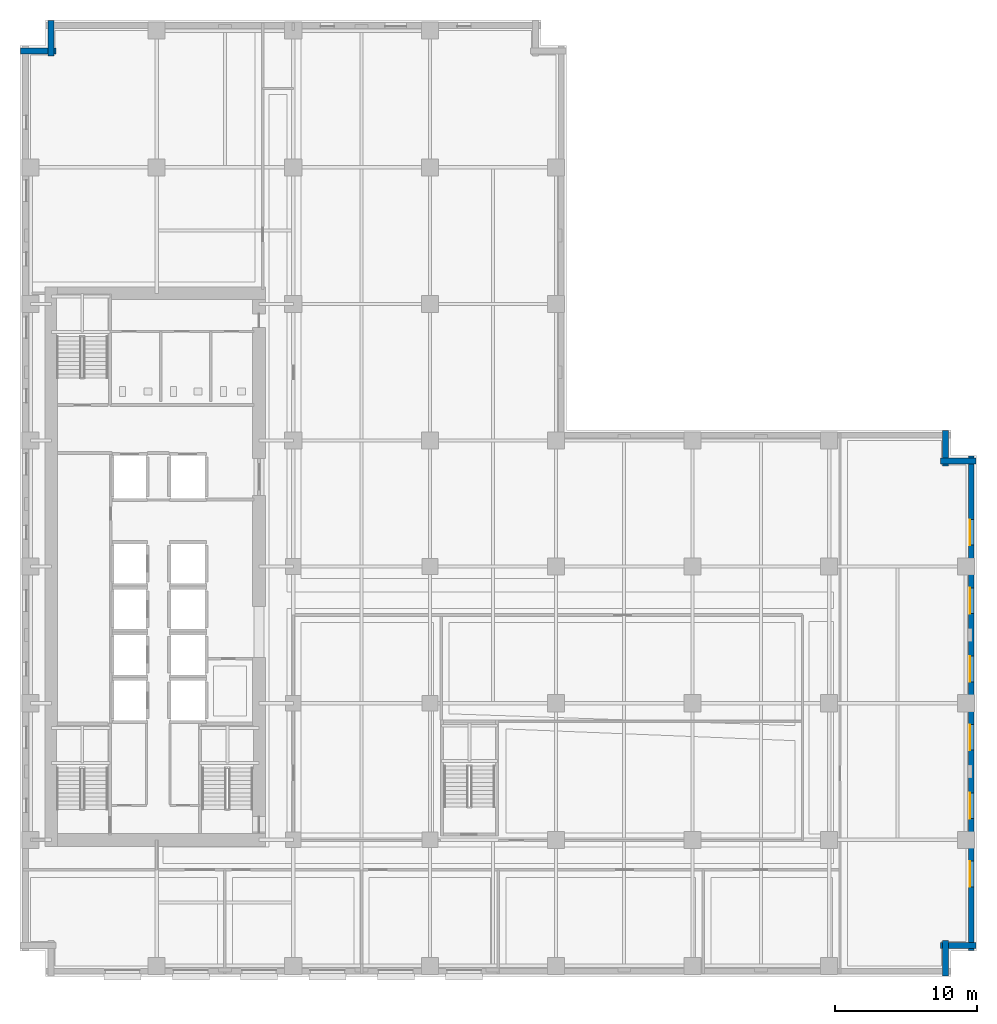
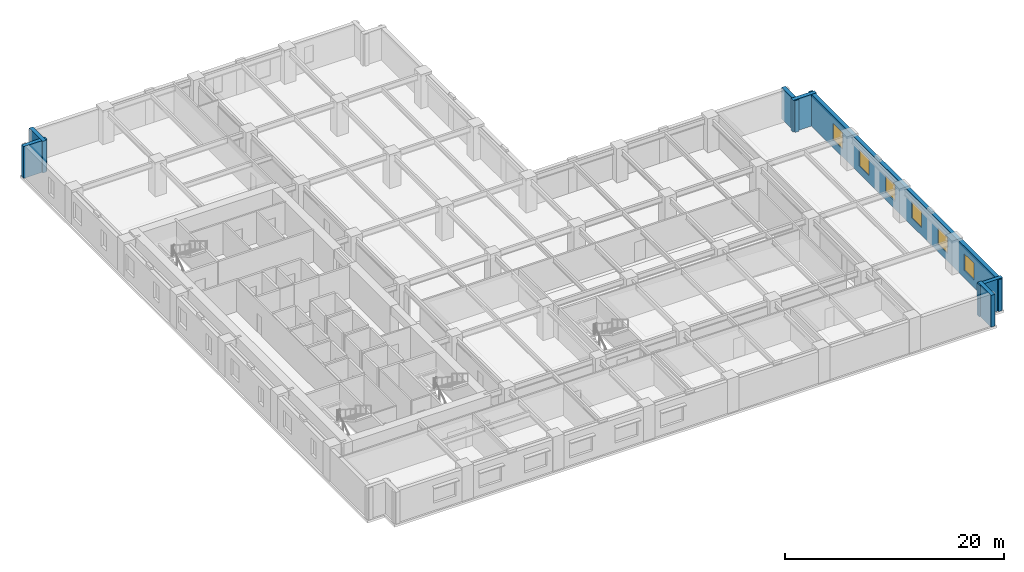
# One storey, part 8 of 14: 7 walls, 6 windows, 6 openings.
"""IFC4 building model written with IfcOpenShell, lengths in metres."""

from ifc_helpers import new_model, si_unit, direction, frame, frame_2d, origin, place, context, subcontext, project, spatial, rectangle, extrude, material, layer, layer_set, type_object, element, fill, save


model = new_model("IFC4")

# Units and contexts
model_context = context("Model", 3, precision=1e-05, world=origin(), true_north=direction((0.0, 1.0)))
body_context = subcontext(model_context, "Body", "Model", "MODEL_VIEW")
ifc_project = project(units=[si_unit("LENGTHUNIT", "METRE"), si_unit("AREAUNIT", "SQUARE_METRE"), si_unit("VOLUMEUNIT", "CUBIC_METRE"), si_unit("PLANEANGLEUNIT", "RADIAN"), si_unit("MASSUNIT", "GRAM", prefix="KILO")], contexts=[model_context])

# Site, building, storey
site_placement = place(None, origin())
site = spatial("IfcSite", under=ifc_project, at=site_placement, CompositionType="ELEMENT")
building_placement = place(site_placement, origin())
building = spatial("IfcBuilding", under=site, at=building_placement, Name="Norrvale University Quadrangle", CompositionType="ELEMENT")
storey_placement = place(building_placement, frame((0.0, 0.0, 28.0)))
storey = spatial("IfcBuildingStorey", under=building, at=storey_placement, Name="L06", CompositionType="ELEMENT", Elevation=28.0)

# Walls
ifc_material_1 = material(Name="Red Manganese Brick Masonry", Category="masonry")
ifc_layer = layer(ifc_material_1, 0.39990234375, Name="Red Manganese Brick Masonry")
ifc_layer_set = layer_set([ifc_layer], Name="Red Manganese Brick Masonry")
wall_type = type_object("IfcWallType", Name="Wall Red Brick 400", PredefinedType="SOLIDWALL", material=ifc_layer_set)
for number, where, z_axis, x_axis, name in (
    (1, (65.02001953125, 0.0400390625, 0.0), (0.0, 0.0, 1.0), (0.0, 1.0, 0.0), "Exterior Brick Facade Wall L06-02.1"),
    (2, (64.679931640625, 2.179931640625, 0.0), (0.0, 0.0, 1.0), (1.0, 0.0, 0.0), "Exterior Brick Facade Wall L06-03.1"),
):
    element("IfcWall", number, at=place(storey_placement, frame(where, z_axis=z_axis, x_axis=x_axis)), inside=storey, type_object=wall_type, Name=name, PredefinedType="SOLIDWALL", context=body_context, shape_type="SweptSolid", body=[
        extrude(rectangle(XDim=2.47998046875, YDim=0.39990234375, at=frame_2d((1.239990234375, 0.0))), origin(), (0.0, 0.0, 1.0), 3.5400390625),
    ])

# Wall, openings, windows
wall_1_placement = place(storey_placement, frame((66.820068359375, 1.840087890625, 0.0), z_axis=(0.0, 0.0, 1.0), x_axis=(0.0, 1.0, 0.0)))
wall_1 = element("IfcWall", 3, at=wall_1_placement, inside=storey, type_object=wall_type, Name="Exterior Brick Facade Wall L06-04.1", PredefinedType="SOLIDWALL", context=body_context, shape_type="SweptSolid", body=[
    extrude(rectangle(XDim=34.719970703125, YDim=0.39990234375, at=frame_2d((17.35986328125, 0.0))), origin(), (0.0, 0.0, 1.0), 3.5400390625),
])
opening_1_placement = place(wall_1_placement, frame((4.4599609375, 0.0, 0.85009765625)))
opening_1 = element("IfcOpeningElement", 4, at=opening_1_placement, cuts=wall_1, Name="Opening W01", PredefinedType="OPENING", context=body_context, shape_type="SweptSolid", body=[
    extrude(rectangle(XDim=1.800048828125, YDim=1.85009765625, at=frame_2d((0.89990234375, 0.925048828125))), frame((0.0, 0.2119140625, 0.0), z_axis=(0.0, -1.0, 0.0), x_axis=(1.0, 0.0, 0.0)), (0.0, 0.0, 1.0), 0.423828125),
])
opening_2_placement = place(wall_1_placement, frame((9.260009765625, 0.0, 0.85009765625)))
opening_2 = element("IfcOpeningElement", 5, at=opening_2_placement, cuts=wall_1, Name="Opening W01", PredefinedType="OPENING", context=body_context, shape_type="SweptSolid", body=[
    extrude(rectangle(XDim=1.800048828125, YDim=1.85009765625, at=frame_2d((0.89990234375, 0.925048828125))), frame((0.0, 0.2119140625, 0.0), z_axis=(0.0, -1.0, 0.0), x_axis=(1.0, 0.0, 0.0)), (0.0, 0.0, 1.0), 0.423828125),
])
opening_3_placement = place(wall_1_placement, frame((14.06005859375, 0.0, 0.85009765625)))
opening_3 = element("IfcOpeningElement", 6, at=opening_3_placement, cuts=wall_1, Name="Opening W01", PredefinedType="OPENING", context=body_context, shape_type="SweptSolid", body=[
    extrude(rectangle(XDim=1.800048828125, YDim=1.85009765625, at=frame_2d((0.89990234375, 0.925048828125))), frame((0.0, 0.2119140625, 0.0), z_axis=(0.0, -1.0, 0.0), x_axis=(1.0, 0.0, 0.0)), (0.0, 0.0, 1.0), 0.423828125),
])
opening_4_placement = place(wall_1_placement, frame((18.860107421875, 0.0, 0.85009765625)))
opening_4 = element("IfcOpeningElement", 7, at=opening_4_placement, cuts=wall_1, Name="Opening W01", PredefinedType="OPENING", context=body_context, shape_type="SweptSolid", body=[
    extrude(rectangle(XDim=1.800048828125, YDim=1.85009765625, at=frame_2d((0.89990234375, 0.925048828125))), frame((0.0, 0.2119140625, 0.0), z_axis=(0.0, -1.0, 0.0), x_axis=(1.0, 0.0, 0.0)), (0.0, 0.0, 1.0), 0.423828125),
])
opening_5_placement = place(wall_1_placement, frame((23.659912109375, 0.0, 0.85009765625)))
opening_5 = element("IfcOpeningElement", 8, at=opening_5_placement, cuts=wall_1, Name="Opening W01", PredefinedType="OPENING", context=body_context, shape_type="SweptSolid", body=[
    extrude(rectangle(XDim=1.800048828125, YDim=1.85009765625, at=frame_2d((0.89990234375, 0.925048828125))), frame((0.0, 0.2119140625, 0.0), z_axis=(0.0, -1.0, 0.0), x_axis=(1.0, 0.0, 0.0)), (0.0, 0.0, 1.0), 0.423828125),
])
opening_6_placement = place(wall_1_placement, frame((28.4599609375, 0.0, 0.85009765625)))
opening_6 = element("IfcOpeningElement", 9, at=opening_6_placement, cuts=wall_1, Name="Opening W01", PredefinedType="OPENING", context=body_context, shape_type="SweptSolid", body=[
    extrude(rectangle(XDim=1.800048828125, YDim=1.85009765625, at=frame_2d((0.89990234375, 0.925048828125))), frame((0.0, 0.2119140625, 0.0), z_axis=(0.0, -1.0, 0.0), x_axis=(1.0, 0.0, 0.0)), (0.0, 0.0, 1.0), 0.423828125),
])
ifc_material_2 = material(Name="Triple Low-E Argon Glazing", Category="glass")
window_type = type_object("IfcWindowType", Name="Window Academic 1800x2300", PartitioningType="DOUBLE_PANEL_VERTICAL", PredefinedType="WINDOW", material=ifc_material_2)
window_1_placement = place(opening_1_placement, origin())
window_1 = element("IfcWindow", 10, at=window_1_placement, inside=storey, type_object=window_type, Name="Window Academic 1800x2300 WIN-L06-E04-1-01", OverallHeight=1.85009765625, OverallWidth=1.800048828125, PartitioningType="DOUBLE_PANEL_VERTICAL", PredefinedType="WINDOW", context=body_context, shape_type="SweptSolid", body=[
    extrude(rectangle(XDim=1.800048828125, YDim=1.85009765625, at=frame_2d((0.89990234375, 0.925048828125))), frame((0.0, 0.110107421875, 0.0), z_axis=(0.0, -1.0, 0.0), x_axis=(1.0, 0.0, 0.0)), (0.0, 0.0, 1.0), 0.06005859375),
])
fill(opening_1, window_1)
window_2_placement = place(opening_2_placement, origin())
window_2 = element("IfcWindow", 11, at=window_2_placement, inside=storey, type_object=window_type, Name="Window Academic 1800x2300 WIN-L06-E04-1-02", OverallHeight=1.85009765625, OverallWidth=1.800048828125, PartitioningType="DOUBLE_PANEL_VERTICAL", PredefinedType="WINDOW", context=body_context, shape_type="SweptSolid", body=[
    extrude(rectangle(XDim=1.800048828125, YDim=1.85009765625, at=frame_2d((0.89990234375, 0.925048828125))), frame((0.0, 0.110107421875, 0.0), z_axis=(0.0, -1.0, 0.0), x_axis=(1.0, 0.0, 0.0)), (0.0, 0.0, 1.0), 0.06005859375),
])
fill(opening_2, window_2)
window_3_placement = place(opening_3_placement, origin())
window_3 = element("IfcWindow", 12, at=window_3_placement, inside=storey, type_object=window_type, Name="Window Academic 1800x2300 WIN-L06-E04-1-03", OverallHeight=1.85009765625, OverallWidth=1.800048828125, PartitioningType="DOUBLE_PANEL_VERTICAL", PredefinedType="WINDOW", context=body_context, shape_type="SweptSolid", body=[
    extrude(rectangle(XDim=1.800048828125, YDim=1.85009765625, at=frame_2d((0.89990234375, 0.925048828125))), frame((0.0, 0.110107421875, 0.0), z_axis=(0.0, -1.0, 0.0), x_axis=(1.0, 0.0, 0.0)), (0.0, 0.0, 1.0), 0.06005859375),
])
fill(opening_3, window_3)
window_4_placement = place(opening_4_placement, origin())
window_4 = element("IfcWindow", 13, at=window_4_placement, inside=storey, type_object=window_type, Name="Window Academic 1800x2300 WIN-L06-E04-1-04", OverallHeight=1.85009765625, OverallWidth=1.800048828125, PartitioningType="DOUBLE_PANEL_VERTICAL", PredefinedType="WINDOW", context=body_context, shape_type="SweptSolid", body=[
    extrude(rectangle(XDim=1.800048828125, YDim=1.85009765625, at=frame_2d((0.89990234375, 0.925048828125))), frame((0.0, 0.110107421875, 0.0), z_axis=(0.0, -1.0, 0.0), x_axis=(1.0, 0.0, 0.0)), (0.0, 0.0, 1.0), 0.06005859375),
])
fill(opening_4, window_4)
window_5_placement = place(opening_5_placement, origin())
window_5 = element("IfcWindow", 14, at=window_5_placement, inside=storey, type_object=window_type, Name="Window Academic 1800x2300 WIN-L06-E04-1-05", OverallHeight=1.85009765625, OverallWidth=1.800048828125, PartitioningType="DOUBLE_PANEL_VERTICAL", PredefinedType="WINDOW", context=body_context, shape_type="SweptSolid", body=[
    extrude(rectangle(XDim=1.800048828125, YDim=1.85009765625, at=frame_2d((0.89990234375, 0.925048828125))), frame((0.0, 0.110107421875, 0.0), z_axis=(0.0, -1.0, 0.0), x_axis=(1.0, 0.0, 0.0)), (0.0, 0.0, 1.0), 0.06005859375),
])
fill(opening_5, window_5)
window_6_placement = place(opening_6_placement, origin())
window_6 = element("IfcWindow", 15, at=window_6_placement, inside=storey, type_object=window_type, Name="Window Academic 1800x2300 WIN-L06-E04-1-06", OverallHeight=1.85009765625, OverallWidth=1.800048828125, PartitioningType="DOUBLE_PANEL_VERTICAL", PredefinedType="WINDOW", context=body_context, shape_type="SweptSolid", body=[
    extrude(rectangle(XDim=1.800048828125, YDim=1.85009765625, at=frame_2d((0.89990234375, 0.925048828125))), frame((0.0, 0.110107421875, 0.0), z_axis=(0.0, -1.0, 0.0), x_axis=(1.0, 0.0, 0.0)), (0.0, 0.0, 1.0), 0.06005859375),
])
fill(opening_6, window_6)

# Walls
wall_2_placement = place(storey_placement, frame((67.159912109375, 36.219970703125, 0.0), z_axis=(0.0, 0.0, 1.0), x_axis=(-1.0, 0.0, 0.0)))
element("IfcWall", 16, at=wall_2_placement, inside=storey, type_object=wall_type, Name="Exterior Brick Facade Wall L06-05.1", PredefinedType="SOLIDWALL", context=body_context, shape_type="SweptSolid", body=[
    extrude(rectangle(XDim=2.47998046875, YDim=0.39990234375, at=frame_2d((1.239990234375, 0.0))), origin(), (0.0, 0.0, 1.0), 3.5400390625),
])
wall_3_placement = place(storey_placement, frame((65.02001953125, 35.8798828125, 0.0), z_axis=(0.0, 0.0, 1.0), x_axis=(0.0, 1.0, 0.0)))
element("IfcWall", 17, at=wall_3_placement, inside=storey, type_object=wall_type, Name="Exterior Brick Facade Wall L06-06.1", PredefinedType="SOLIDWALL", context=body_context, shape_type="SweptSolid", body=[
    extrude(rectangle(XDim=2.480224609375, YDim=0.39990234375, at=frame_2d((1.240234375, 0.0))), origin(), (0.0, 0.0, 1.0), 3.5400390625),
])
for number, where, z_axis, x_axis, name in (
    (18, (2.179931640625, 67.159912109375, 0.0), (0.0, 0.0, 1.0), (0.0, -1.0, 0.0), "Exterior Brick Facade Wall L06-12.1"),
    (19, (2.52001953125, 65.02001953125, 0.0), (0.0, 0.0, 1.0), (-1.0, 0.0, 0.0), "Exterior Brick Facade Wall L06-13.1"),
):
    element("IfcWall", number, at=place(storey_placement, frame(where, z_axis=z_axis, x_axis=x_axis)), inside=storey, type_object=wall_type, Name=name, PredefinedType="SOLIDWALL", context=body_context, shape_type="SweptSolid", body=[
        extrude(rectangle(XDim=2.47998046875, YDim=0.39990234375, at=frame_2d((1.239990234375, 0.0))), origin(), (0.0, 0.0, 1.0), 3.5400390625),
    ])

save(model, "model.ifc")
